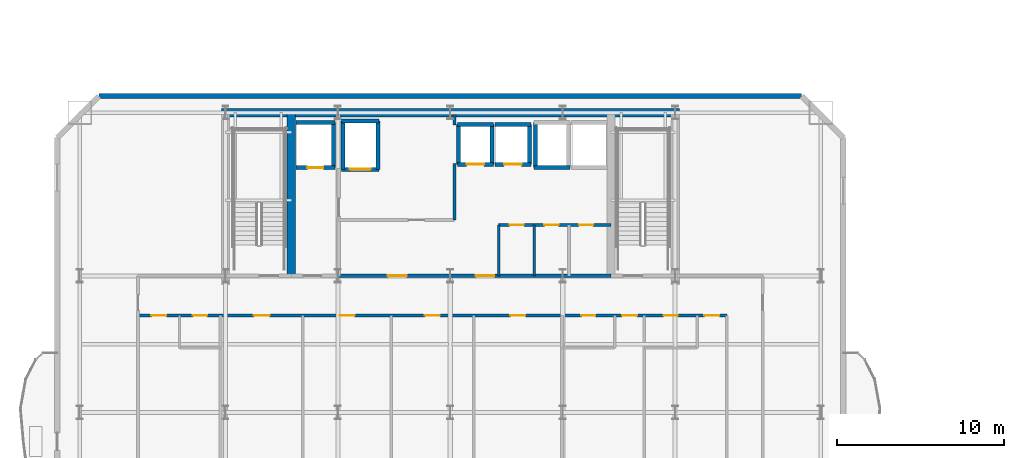
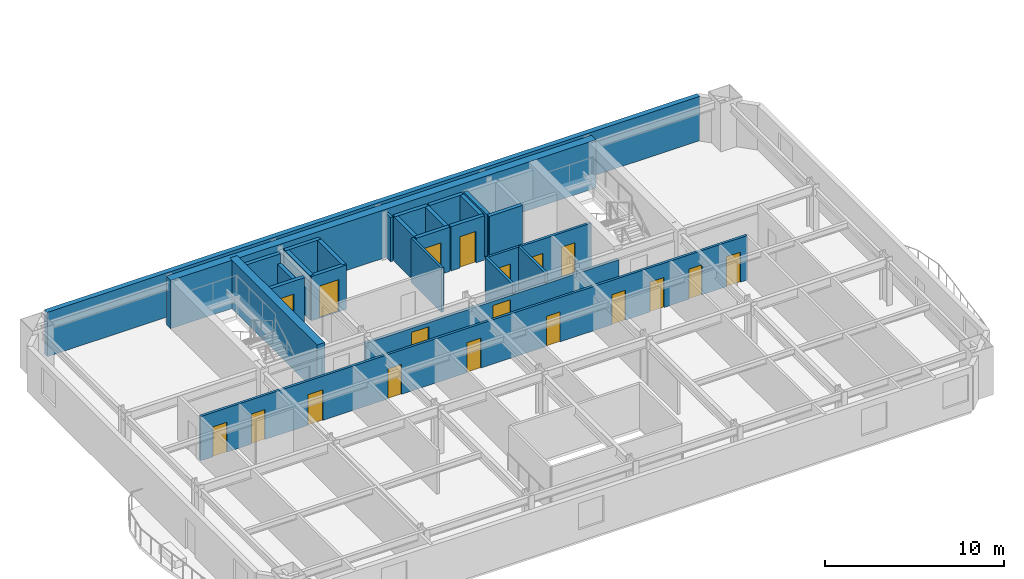
# One storey, part 6 of 14: 26 walls, 19 doors, 19 openings.
"""IFC4 building model written with IfcOpenShell, lengths in metres."""

import ifcopenshell
import ifcopenshell.guid

model = None  # the IFC model being written
_history = None  # IfcOwnerHistory: only IFC2X3 demands one
_inside = {}  # id of a spatial element -> (the spatial element, [elements in it])
_under = {}  # id of a project, library or spatial element -> (it, [spatial elements below it])
_declared = {}  # id of a project -> (the project, [libraries it declares])
_typed = {}  # id of a type object -> (the type object, [elements of that type])
_made_of = {}  # id of a material, layer set ... -> (it, [elements and type objects made of it])


def new_model(schema):
    """Start an empty IFC model of exactly this schema.

    Asked for "IFC4X3", IfcOpenShell would pick the latest addendum, in which some entities
    have other attributes; the version numbers below select the first issue.
    IFC2X3 requires an IfcOwnerHistory on every rooted entity: one is made here for all.
    """
    global model, _history
    if schema == "IFC4X3":
        model = ifcopenshell.file(schema_version=(4, 3, 0, 0))
    else:
        model = ifcopenshell.file(schema=schema)
    _inside.clear()
    _under.clear()
    _declared.clear()
    _typed.clear()
    _made_of.clear()
    _history = None
    if model.schema == "IFC2X3":
        org = make("IfcOrganization", Name="unknown")
        user = make(
            "IfcPersonAndOrganization",
            ThePerson=make("IfcPerson", FamilyName="unknown"),
            TheOrganization=org,
        )
        app = make(
            "IfcApplication",
            ApplicationDeveloper=org,
            Version="unknown",
            ApplicationFullName="unknown",
            ApplicationIdentifier="unknown",
        )
        _history = make(
            "IfcOwnerHistory",
            OwningUser=user,
            OwningApplication=app,
            ChangeAction="ADDED",
            CreationDate=0,
        )
    return model


def make(cls, **values):
    """One entity of the class cls with the attributes given. An attribute that is None is left unset."""
    return model.create_entity(
        cls, **{name: value for name, value in values.items() if value is not None}
    )


def rooted(cls, **values):
    """An entity with a GlobalId (a new one), such as an element, a storey or a relation."""
    return make(cls, GlobalId=ifcopenshell.guid.new(), OwnerHistory=_history, **values)


def si_unit(unit_type, name, prefix=None):
    """IfcSIUnit, for example si_unit("LENGTHUNIT", "METRE", prefix="MILLI")."""
    return make("IfcSIUnit", UnitType=unit_type, Prefix=prefix, Name=name)


def assignment(units):
    """IfcUnitAssignment: the units of a project."""
    return None if units is None else make("IfcUnitAssignment", Units=units)


def point(xyz):
    """IfcCartesianPoint."""
    return None if xyz is None else make("IfcCartesianPoint", Coordinates=xyz)


def direction(xyz):
    """IfcDirection."""
    return None if xyz is None else make("IfcDirection", DirectionRatios=xyz)


def frame(location, z_axis=None, x_axis=None):
    """IfcAxis2Placement3D, a coordinate frame: its origin and axes. An axis left out is left unset."""
    return make(
        "IfcAxis2Placement3D",
        Location=point(location),
        Axis=direction(z_axis),
        RefDirection=direction(x_axis),
    )


def frame_2d(location, x_axis=None):
    """IfcAxis2Placement2D, a coordinate frame in the plane: its origin and x axis."""
    return make(
        "IfcAxis2Placement2D", Location=point(location), RefDirection=direction(x_axis)
    )


def origin():
    """The frame at (0, 0, 0) with its axes left unset."""
    return frame((0.0, 0.0, 0.0))


def place(relative_to, where):
    """IfcLocalPlacement: puts the frame where relative to a parent placement (None: the world)."""
    return make(
        "IfcLocalPlacement", PlacementRelTo=relative_to, RelativePlacement=where
    )


def context(
    kind, dimensions, precision=None, world=None, true_north=None, identifier=None
):
    """IfcGeometricRepresentationContext, for example the 3D "Model" context."""
    return make(
        "IfcGeometricRepresentationContext",
        ContextIdentifier=identifier,
        ContextType=kind,
        CoordinateSpaceDimension=dimensions,
        Precision=precision,
        WorldCoordinateSystem=world,
        TrueNorth=true_north,
    )


def subcontext(parent, identifier, kind, view, scale=None):
    """IfcGeometricRepresentationSubContext, for example "Body" below "Model"."""
    return make(
        "IfcGeometricRepresentationSubContext",
        ContextIdentifier=identifier,
        ContextType=kind,
        ParentContext=parent,
        TargetScale=scale,
        TargetView=view,
    )


def project(units=None, contexts=None):
    """IfcProject with its units and contexts."""
    return rooted(
        "IfcProject",
        Name="project",
        RepresentationContexts=contexts,
        UnitsInContext=assignment(units),
    )


def spatial(cls, under=None, at=None, **own):
    """A site, building, storey or space (cls), placed at a placement, below another one or the project."""
    s = rooted(cls, ObjectPlacement=at, **own)
    if under is not None:
        _under.setdefault(under.id(), (under, []))[1].append(s)
    return s


def profile(cls, at=None, kind="AREA", **sizes):
    """A parametric profile (cls). Its sizes go by their IFC names, for example OverallWidth=200.0."""
    return make(cls, ProfileType=kind, Position=at, **sizes)


def rectangle(**sizes):
    """IfcRectangleProfileDef."""
    return profile("IfcRectangleProfileDef", **sizes)


def extrude(swept, where, along, depth):
    """IfcExtrudedAreaSolid: the profile swept, set in the frame where, extruded along a direction by depth."""
    return make(
        "IfcExtrudedAreaSolid",
        SweptArea=swept,
        Position=where,
        ExtrudedDirection=direction(along),
        Depth=depth,
    )


def shape(context_of_items, identifier, shape_type, items):
    """IfcShapeRepresentation: the items that make up one representation, for example the "Body"."""
    return make(
        "IfcShapeRepresentation",
        ContextOfItems=context_of_items,
        RepresentationIdentifier=identifier,
        RepresentationType=shape_type,
        Items=items,
    )


def material(Name=None, Category=None):
    """IfcMaterial."""
    return make("IfcMaterial", Name=Name, Category=Category)


def layer(
    of_material, thickness, ventilated=None, Name=None, Category=None, Priority=None
):
    """IfcMaterialLayer: one layer of a wall or slab, of a material (None: an air gap)."""
    return make(
        "IfcMaterialLayer",
        Material=of_material,
        LayerThickness=thickness,
        IsVentilated=ventilated,
        Name=Name,
        Category=Category,
        Priority=Priority,
    )


def layer_set(layers, Name=None):
    """IfcMaterialLayerSet."""
    return make("IfcMaterialLayerSet", MaterialLayers=layers, LayerSetName=Name)


def made_of(thing, what):
    """Note that an element or type object is made of a material, layer set ...; save() writes the relation."""
    if what is not None:
        _made_of.setdefault(what.id(), (what, []))[1].append(thing)
    return thing


def type_object(cls, material=None, **own):
    """A type object (cls), such as IfcWallType, which elements share."""
    return made_of(rooted(cls, **own), material)


def element(
    cls,
    number,
    at=None,
    inside=None,
    cuts=None,
    type_object=None,
    material=None,
    context=None,
    identifier="Body",
    shape_type=None,
    held_by="IfcProductDefinitionShape",
    body=None,
    shapes=None,
    **own,
):
    """One element of the class cls, such as IfcWall. Its Tag is "e" and its number.

    at: its placement. inside: the storey or other place that contains it. cuts: it is an
    opening in that element (IfcRelVoidsElement). A single representation is given by context,
    identifier, shape_type and body (its items); several are given by shapes. held_by: the class
    of the entity that holds the representations. save() writes the other relations.
    """
    e = rooted(cls, Tag="e%d" % number, ObjectPlacement=at, **own)
    if body is not None:
        shapes = [shape(context, identifier, shape_type, body)]
    if shapes is not None:
        e.Representation = make(held_by, Representations=shapes)
    if inside is not None:
        _inside.setdefault(inside.id(), (inside, []))[1].append(e)
    if cuts is not None:
        rooted(
            "IfcRelVoidsElement", RelatingBuildingElement=cuts, RelatedOpeningElement=e
        )
    if type_object is not None:
        _typed.setdefault(type_object.id(), (type_object, []))[1].append(e)
    return made_of(e, material)


def fill(opening, filler):
    """IfcRelFillsElement: the door or window that sits in an opening."""
    return rooted(
        "IfcRelFillsElement",
        RelatingOpeningElement=opening,
        RelatedBuildingElement=filler,
    )


def aggregate(whole, parts):
    """IfcRelAggregates: a whole, such as a stair, and the parts it consists of."""
    return rooted("IfcRelAggregates", RelatingObject=whole, RelatedObjects=parts)


def save(model, path):
    """Write the relations noted so far, then the file.

    IfcRelAggregates (storeys below a building ...), IfcRelContainedInSpatialStructure (elements
    in a storey), IfcRelDefinesByType, IfcRelAssociatesMaterial and IfcRelDeclares: one each for
    every whole, place, type object, material and project.
    """
    for whole, parts in _under.values():
        aggregate(whole, parts)
    for where, things in _inside.values():
        rooted(
            "IfcRelContainedInSpatialStructure",
            RelatedElements=things,
            RelatingStructure=where,
        )
    for kind, things in _typed.values():
        rooted("IfcRelDefinesByType", RelatedObjects=things, RelatingType=kind)
    for what, things in _made_of.values():
        rooted("IfcRelAssociatesMaterial", RelatedObjects=things, RelatingMaterial=what)
    for by, libraries in _declared.values():
        rooted("IfcRelDeclares", RelatingContext=by, RelatedDefinitions=libraries)
    model.write(path)


model = new_model("IFC4")

# Units and contexts
model_context = context("Model", 3, precision=1e-05, world=origin(), true_north=direction((0.0, 1.0)))
body_context = subcontext(model_context, "Body", "Model", "MODEL_VIEW")
ifc_project = project(units=[si_unit("LENGTHUNIT", "METRE"), si_unit("AREAUNIT", "SQUARE_METRE"), si_unit("VOLUMEUNIT", "CUBIC_METRE"), si_unit("PLANEANGLEUNIT", "RADIAN"), si_unit("MASSUNIT", "GRAM", prefix="KILO")], contexts=[model_context])

# Site, building, storey
site_placement = place(None, origin())
site = spatial("IfcSite", under=ifc_project, at=site_placement, CompositionType="ELEMENT")
building_placement = place(site_placement, origin())
building = spatial("IfcBuilding", under=site, at=building_placement, Name="Haevon Station Towers", CompositionType="ELEMENT")
storey_placement = place(building_placement, frame((0.0, 0.0, 106.5)))
storey = spatial("IfcBuildingStorey", under=building, at=storey_placement, Name="L28", CompositionType="ELEMENT", Elevation=106.5)

# Wall, openings, doors
ifc_material_1 = material(Name="Gypsum board on steel stud", Category="steel")
ifc_layer_1 = layer(ifc_material_1, 0.199951171875)
ifc_layer_set_1 = layer_set([ifc_layer_1], Name="Gypsum board on steel stud")
wall_type_1 = type_object("IfcWallType", Name="WL-COR200", PredefinedType="PARTITIONING", material=ifc_layer_set_1)
wall_1_placement = place(storey_placement, frame((30.800048828125, 38.199951171875, 0.0), z_axis=(0.0, 0.0, 1.0), x_axis=(1.0, 0.0, 0.0)))
wall_1 = element("IfcWall", 1, at=wall_1_placement, inside=storey, type_object=wall_type_1, Name="WL-T1CLB-L28", PredefinedType="PARTITIONING", context=body_context, shape_type="SweptSolid", body=[
    extrude(rectangle(XDim=16.349853515625, YDim=0.199951171875, at=frame_2d((8.1748046875, 0.0))), origin(), (0.0, 0.0, 1.0), 2.3798828125),
])
opening_1_placement = place(wall_1_placement, frame((2.949951171875, 0.0, 0.0)))
opening_1 = element("IfcOpeningElement", 2, at=opening_1_placement, cuts=wall_1, Name="Opening DR-T1CLB-L28-1", PredefinedType="OPENING", context=body_context, shape_type="SweptSolid", body=[
    extrude(rectangle(XDim=1.1201171875, YDim=2.10009765625, at=frame_2d((0.56005859375, 1.050048828125))), frame((0.0, 0.10986328125, 0.0), z_axis=(0.0, -1.0, 0.0), x_axis=(1.0, 0.0, 0.0)), (0.0, 0.0, 1.0), 0.219970703125),
])
opening_2_placement = place(wall_1_placement, frame((8.22998046875, 0.0, 0.0)))
opening_2 = element("IfcOpeningElement", 3, at=opening_2_placement, cuts=wall_1, Name="Opening DR-T1CLB-L28-2", PredefinedType="OPENING", context=body_context, shape_type="SweptSolid", body=[
    extrude(rectangle(XDim=1.1201171875, YDim=2.10009765625, at=frame_2d((0.56005859375, 1.050048828125))), frame((0.0, 0.10986328125, 0.0), z_axis=(0.0, -1.0, 0.0), x_axis=(1.0, 0.0, 0.0)), (0.0, 0.0, 1.0), 0.219970703125),
])
ifc_material_2 = material(Name="Engineered oak timber", Category="wood")
door_type_1 = type_object("IfcDoorType", Name="DR-ST-1120", OperationType="NOTDEFINED", PredefinedType="DOOR", material=ifc_material_2)
door_1_placement = place(opening_1_placement, origin())
door_1 = element("IfcDoor", 4, at=door_1_placement, inside=storey, type_object=door_type_1, Name="L28 Tower 1 Core Lift Lobby Door 1", OperationType="SINGLE_SWING_LEFT", OverallHeight=2.10009765625, OverallWidth=1.1201171875, PredefinedType="DOOR", context=body_context, shape_type="SweptSolid", body=[
    extrude(rectangle(XDim=1.1201171875, YDim=2.10009765625, at=frame_2d((0.56005859375, 1.050048828125))), frame((0.0, 0.02490234375, 0.0), z_axis=(0.0, -1.0, 0.0), x_axis=(1.0, 0.0, 0.0)), (0.0, 0.0, 1.0), 0.050048828125),
])
fill(opening_1, door_1)
door_2_placement = place(opening_2_placement, origin())
door_2 = element("IfcDoor", 5, at=door_2_placement, inside=storey, type_object=door_type_1, Name="L28 Tower 1 Core Lift Lobby Door 2", OperationType="SINGLE_SWING_RIGHT", OverallHeight=2.10009765625, OverallWidth=1.1201171875, PredefinedType="DOOR", context=body_context, shape_type="SweptSolid", body=[
    extrude(rectangle(XDim=1.1201171875, YDim=2.10009765625, at=frame_2d((0.56005859375, 1.050048828125))), frame((0.0, 0.02490234375, 0.0), z_axis=(0.0, -1.0, 0.0), x_axis=(1.0, 0.0, 0.0)), (0.0, 0.0, 1.0), 0.050048828125),
])
fill(opening_2, door_2)

# Walls
ifc_material_3 = material(Name="Concrete C60/75", Category="concrete")
ifc_layer_2 = layer(ifc_material_3, 0.5)
ifc_layer_set_2 = layer_set([ifc_layer_2], Name="Concrete C60/75")
wall_type_2 = type_object("IfcWallType", Name="WL-CR500", PredefinedType="SHEAR", material=ifc_layer_set_2)
wall_2_placement = place(storey_placement, frame((23.75, 48.0, 0.0), z_axis=(0.0, 0.0, 1.0), x_axis=(1.0, 0.0, 0.0)))
element("IfcWall", 6, at=wall_2_placement, inside=storey, type_object=wall_type_2, Name="WL-T1CR-L28-N", PredefinedType="SHEAR", context=body_context, shape_type="SweptSolid", body=[
    extrude(rectangle(XDim=27.5, YDim=0.5, at=frame_2d((13.75, 0.0))), origin(), (0.0, 0.0, 1.0), 3.300048828125),
])
wall_3_placement = place(storey_placement, frame((27.949951171875, 38.199951171875, 0.0), z_axis=(0.0, 0.0, 1.0), x_axis=(0.0, 1.0, 0.0)))
element("IfcWall", 7, at=wall_3_placement, inside=storey, type_object=wall_type_2, Name="WL-T1CR-L28-M1", PredefinedType="SHEAR", context=body_context, shape_type="SweptSolid", body=[
    extrude(rectangle(XDim=9.800048828125, YDim=0.5, at=frame_2d((4.89990234375, 0.0))), origin(), (0.0, 0.0, 1.0), 3.300048828125),
])
ifc_material_4 = material(Name="Precast concrete C45/55", Category="concrete")
ifc_layer_3 = layer(ifc_material_4, 0.320068359375)
ifc_layer_set_3 = layer_set([ifc_layer_3], Name="Precast concrete C45/55")
wall_type_3 = type_object("IfcWallType", Name="WL-EXT-PIER320", PredefinedType="SOLIDWALL", material=ifc_layer_set_3)
wall_4_placement = place(storey_placement, frame((16.39990234375, 49.0, 0.0), z_axis=(0.0, 0.0, 1.0), x_axis=(1.0, 0.0, 0.0)))
element("IfcWall", 8, at=wall_4_placement, inside=storey, type_object=wall_type_3, Name="WL-T1-L28-N", PredefinedType="SOLIDWALL", context=body_context, shape_type="SweptSolid", body=[
    extrude(rectangle(XDim=42.2001953125, YDim=0.320068359375, at=frame_2d((21.10009765625, 0.0))), origin(), (0.0, 0.0, 1.0), 3.030029296875),
])
ifc_layer_4 = layer(ifc_material_1, 0.159912109375)
ifc_layer_set_4 = layer_set([ifc_layer_4], Name="Gypsum board on steel stud")
wall_type_4 = type_object("IfcWallType", Name="WL-PRT160", PredefinedType="PARTITIONING", material=ifc_layer_set_4)
wall_5_placement = place(storey_placement, frame((37.75, 41.550048828125, 0.0), z_axis=(0.0, 0.0, 1.0), x_axis=(0.0, 1.0, 0.0)))
element("IfcWall", 9, at=wall_5_placement, inside=storey, type_object=wall_type_4, Name="WL-T1CW-L28-02", PredefinedType="PARTITIONING", context=body_context, shape_type="SweptSolid", body=[
    extrude(rectangle(XDim=3.39990234375, YDim=0.159912109375, at=frame_2d((1.699951171875, 0.0))), origin(), (0.0, 0.0, 1.0), 3.030029296875),
])
wall_6_placement = place(storey_placement, frame((37.75, 47.25, 0.0), z_axis=(0.0, 0.0, 1.0), x_axis=(0.0, 1.0, 0.0)))
element("IfcWall", 10, at=wall_6_placement, inside=storey, type_object=wall_type_4, Name="WL-T1CW-L28-03", PredefinedType="PARTITIONING", context=body_context, shape_type="SweptSolid", body=[
    extrude(rectangle(XDim=0.64990234375, YDim=0.159912109375, at=frame_2d((0.324951171875, 0.0))), origin(), (0.0, 0.0, 1.0), 3.030029296875),
])
for number, where, z_axis, x_axis, name in (
    (11, (40.39990234375, 38.199951171875, 0.0), (0.0, 0.0, 1.0), (0.0, 1.0, 0.0), "WL-T1CW-L28-04"),
    (12, (42.530029296875, 38.199951171875, 0.0), (0.0, 0.0, 1.0), (0.0, 1.0, 0.0), "WL-T1CW-L28-05"),
):
    element("IfcWall", number, at=place(storey_placement, frame(where, z_axis=z_axis, x_axis=x_axis)), inside=storey, type_object=wall_type_4, Name=name, PredefinedType="PARTITIONING", context=body_context, shape_type="SweptSolid", body=[
        extrude(rectangle(XDim=3.050048828125, YDim=0.159912109375, at=frame_2d((1.52490234375, 0.0))), origin(), (0.0, 0.0, 1.0), 3.030029296875),
    ])

# Wall, openings, doors
wall_7_placement = place(storey_placement, frame((40.39990234375, 41.25, 0.0), z_axis=(0.0, 0.0, 1.0), x_axis=(1.0, 0.0, 0.0)))
wall_7 = element("IfcWall", 13, at=wall_7_placement, inside=storey, type_object=wall_type_4, Name="WL-T1CW-L28-07", PredefinedType="PARTITIONING", context=body_context, shape_type="SweptSolid", body=[
    extrude(rectangle(XDim=6.75, YDim=0.159912109375, at=frame_2d((3.375, 0.0))), origin(), (0.0, 0.0, 1.0), 3.030029296875),
])
opening_3_placement = place(wall_7_placement, frame((0.659912109375, 0.0, 0.0)))
opening_3 = element("IfcOpeningElement", 14, at=opening_3_placement, cuts=wall_7, Name="Opening DR-WL-T1CW-L28-07-1", PredefinedType="OPENING", context=body_context, shape_type="SweptSolid", body=[
    extrude(rectangle(XDim=0.85009765625, YDim=2.050048828125, at=frame_2d((0.425048828125, 1.02490234375))), frame((0.0, 0.08984375, 0.0), z_axis=(0.0, -1.0, 0.0), x_axis=(1.0, 0.0, 0.0)), (0.0, 0.0, 1.0), 0.179931640625),
])
opening_4_placement = place(wall_7_placement, frame((2.7548828125, 0.0, 0.0)))
opening_4 = element("IfcOpeningElement", 15, at=opening_4_placement, cuts=wall_7, Name="Opening DR-WL-T1CW-L28-07-2", PredefinedType="OPENING", context=body_context, shape_type="SweptSolid", body=[
    extrude(rectangle(XDim=0.85009765625, YDim=2.050048828125, at=frame_2d((0.425048828125, 1.02490234375))), frame((0.0, 0.08984375, 0.0), z_axis=(0.0, -1.0, 0.0), x_axis=(1.0, 0.0, 0.0)), (0.0, 0.0, 1.0), 0.179931640625),
])
opening_5_placement = place(wall_7_placement, frame((4.830078125, 0.0, 0.0)))
opening_5 = element("IfcOpeningElement", 16, at=opening_5_placement, cuts=wall_7, Name="Opening DR-WL-T1CW-L28-07-3", PredefinedType="OPENING", context=body_context, shape_type="SweptSolid", body=[
    extrude(rectangle(XDim=0.85009765625, YDim=2.050048828125, at=frame_2d((0.425048828125, 1.02490234375))), frame((0.0, 0.08984375, 0.0), z_axis=(0.0, -1.0, 0.0), x_axis=(1.0, 0.0, 0.0)), (0.0, 0.0, 1.0), 0.179931640625),
])
door_type_2 = type_object("IfcDoorType", Name="DR-FD30-850", OperationType="NOTDEFINED", PredefinedType="DOOR", material=ifc_material_2)
door_3_placement = place(opening_3_placement, origin())
door_3 = element("IfcDoor", 17, at=door_3_placement, inside=storey, type_object=door_type_2, Name="L28 Tower 1 Core Room Door 7-1", OperationType="SINGLE_SWING_RIGHT", OverallHeight=2.050048828125, OverallWidth=0.85009765625, PredefinedType="DOOR", context=body_context, shape_type="SweptSolid", body=[
    extrude(rectangle(XDim=0.85009765625, YDim=2.050048828125, at=frame_2d((0.425048828125, 1.02490234375))), frame((0.0, 0.02490234375, 0.0), z_axis=(0.0, -1.0, 0.0), x_axis=(1.0, 0.0, 0.0)), (0.0, 0.0, 1.0), 0.050048828125),
])
fill(opening_3, door_3)
door_4_placement = place(opening_4_placement, origin())
door_4 = element("IfcDoor", 18, at=door_4_placement, inside=storey, type_object=door_type_2, Name="L28 Tower 1 Core Room Door 7-2", OperationType="SINGLE_SWING_LEFT", OverallHeight=2.050048828125, OverallWidth=0.85009765625, PredefinedType="DOOR", context=body_context, shape_type="SweptSolid", body=[
    extrude(rectangle(XDim=0.85009765625, YDim=2.050048828125, at=frame_2d((0.425048828125, 1.02490234375))), frame((0.0, 0.02490234375, 0.0), z_axis=(0.0, -1.0, 0.0), x_axis=(1.0, 0.0, 0.0)), (0.0, 0.0, 1.0), 0.050048828125),
])
fill(opening_4, door_4)
door_5_placement = place(opening_5_placement, origin())
door_5 = element("IfcDoor", 19, at=door_5_placement, inside=storey, type_object=door_type_2, Name="L28 Tower 1 Core Room Door 7-3", OperationType="SINGLE_SWING_RIGHT", OverallHeight=2.050048828125, OverallWidth=0.85009765625, PredefinedType="DOOR", context=body_context, shape_type="SweptSolid", body=[
    extrude(rectangle(XDim=0.85009765625, YDim=2.050048828125, at=frame_2d((0.425048828125, 1.02490234375))), frame((0.0, 0.02490234375, 0.0), z_axis=(0.0, -1.0, 0.0), x_axis=(1.0, 0.0, 0.0)), (0.0, 0.0, 1.0), 0.050048828125),
])
fill(opening_5, door_5)

wall_8_placement = place(storey_placement, frame((18.75, 35.820068359375, 0.0), z_axis=(0.0, 0.0, 1.0), x_axis=(1.0, 0.0, 0.0)))
wall_8 = element("IfcWall", 20, at=wall_8_placement, inside=storey, type_object=wall_type_4, Name="WL-T1PT-L28-25", PredefinedType="PARTITIONING", context=body_context, shape_type="SweptSolid", body=[
    extrude(rectangle(XDim=35.35009765625, YDim=0.159912109375, at=frame_2d((17.675048828125, 0.0))), origin(), (0.0, 0.0, 1.0), 3.030029296875),
])
opening_6_placement = place(wall_8_placement, frame((3.299072265625, 0.0, 0.0)))
opening_6 = element("IfcOpeningElement", 21, at=opening_6_placement, cuts=wall_8, Name="Opening DR-WL-T1PT-L28-25-01", PredefinedType="OPENING", context=body_context, shape_type="SweptSolid", body=[
    extrude(rectangle(XDim=0.85009765625, YDim=2.050048828125, at=frame_2d((0.425048828125, 1.02490234375))), frame((0.0, 0.08984375, 0.0), z_axis=(0.0, -1.0, 0.0), x_axis=(1.0, 0.0, 0.0)), (0.0, 0.0, 1.0), 0.179931640625),
])
opening_7_placement = place(wall_8_placement, frame((0.799072265625, 0.0, 0.0)))
opening_7 = element("IfcOpeningElement", 22, at=opening_7_placement, cuts=wall_8, Name="Opening DR-WL-T1PT-L28-25-02", PredefinedType="OPENING", context=body_context, shape_type="SweptSolid", body=[
    extrude(rectangle(XDim=0.89990234375, YDim=2.050048828125, at=frame_2d((0.449951171875, 1.02490234375))), frame((0.0, 0.08984375, 0.0), z_axis=(0.0, -1.0, 0.0), x_axis=(1.0, 0.0, 0.0)), (0.0, 0.0, 1.0), 0.179931640625),
])
opening_8_placement = place(wall_8_placement, frame((6.948974609375, 0.0, 0.0)))
opening_8 = element("IfcOpeningElement", 23, at=opening_8_placement, cuts=wall_8, Name="Opening DR-WL-T1PT-L28-25-03", PredefinedType="OPENING", context=body_context, shape_type="SweptSolid", body=[
    extrude(rectangle(XDim=0.949951171875, YDim=2.10009765625, at=frame_2d((0.47509765625, 1.050048828125))), frame((0.0, 0.08984375, 0.0), z_axis=(0.0, -1.0, 0.0), x_axis=(1.0, 0.0, 0.0)), (0.0, 0.0, 1.0), 0.179931640625),
])
opening_9_placement = place(wall_8_placement, frame((12.09912109375, 0.0, 0.0)))
opening_9 = element("IfcOpeningElement", 24, at=opening_9_placement, cuts=wall_8, Name="Opening DR-WL-T1PT-L28-25-04", PredefinedType="OPENING", context=body_context, shape_type="SweptSolid", body=[
    extrude(rectangle(XDim=0.89990234375, YDim=2.050048828125, at=frame_2d((0.449951171875, 1.02490234375))), frame((0.0, 0.08984375, 0.0), z_axis=(0.0, -1.0, 0.0), x_axis=(1.0, 0.0, 0.0)), (0.0, 0.0, 1.0), 0.179931640625),
])
opening_10_placement = place(wall_8_placement, frame((17.22509765625, 0.0, 0.0)))
opening_10 = element("IfcOpeningElement", 25, at=opening_10_placement, cuts=wall_8, Name="Opening DR-WL-T1PT-L28-25-05", PredefinedType="OPENING", context=body_context, shape_type="SweptSolid", body=[
    extrude(rectangle(XDim=0.89990234375, YDim=2.050048828125, at=frame_2d((0.449951171875, 1.02490234375))), frame((0.0, 0.08984375, 0.0), z_axis=(0.0, -1.0, 0.0), x_axis=(1.0, 0.0, 0.0)), (0.0, 0.0, 1.0), 0.179931640625),
])
opening_11_placement = place(wall_8_placement, frame((22.35107421875, 0.0, 0.0)))
opening_11 = element("IfcOpeningElement", 26, at=opening_11_placement, cuts=wall_8, Name="Opening DR-WL-T1PT-L28-25-06", PredefinedType="OPENING", context=body_context, shape_type="SweptSolid", body=[
    extrude(rectangle(XDim=0.89990234375, YDim=2.050048828125, at=frame_2d((0.449951171875, 1.02490234375))), frame((0.0, 0.08984375, 0.0), z_axis=(0.0, -1.0, 0.0), x_axis=(1.0, 0.0, 0.0)), (0.0, 0.0, 1.0), 0.179931640625),
])
opening_12_placement = place(wall_8_placement, frame((26.612060546875, 0.0, 0.0)))
opening_12 = element("IfcOpeningElement", 27, at=opening_12_placement, cuts=wall_8, Name="Opening DR-WL-T1PT-L28-25-07", PredefinedType="OPENING", context=body_context, shape_type="SweptSolid", body=[
    extrude(rectangle(XDim=0.85009765625, YDim=2.050048828125, at=frame_2d((0.425048828125, 1.02490234375))), frame((0.0, 0.08984375, 0.0), z_axis=(0.0, -1.0, 0.0), x_axis=(1.0, 0.0, 0.0)), (0.0, 0.0, 1.0), 0.179931640625),
])
opening_13_placement = place(wall_8_placement, frame((29.06103515625, 0.0, 0.0)))
opening_13 = element("IfcOpeningElement", 28, at=opening_13_placement, cuts=wall_8, Name="Opening DR-WL-T1PT-L28-25-08", PredefinedType="OPENING", context=body_context, shape_type="SweptSolid", body=[
    extrude(rectangle(XDim=0.89990234375, YDim=2.050048828125, at=frame_2d((0.449951171875, 1.02490234375))), frame((0.0, 0.08984375, 0.0), z_axis=(0.0, -1.0, 0.0), x_axis=(1.0, 0.0, 0.0)), (0.0, 0.0, 1.0), 0.179931640625),
])
opening_14_placement = place(wall_8_placement, frame((31.56103515625, 0.0, 0.0)))
opening_14 = element("IfcOpeningElement", 29, at=opening_14_placement, cuts=wall_8, Name="Opening DR-WL-T1PT-L28-25-09", PredefinedType="OPENING", context=body_context, shape_type="SweptSolid", body=[
    extrude(rectangle(XDim=0.85009765625, YDim=2.050048828125, at=frame_2d((0.425048828125, 1.02490234375))), frame((0.0, 0.08984375, 0.0), z_axis=(0.0, -1.0, 0.0), x_axis=(1.0, 0.0, 0.0)), (0.0, 0.0, 1.0), 0.179931640625),
])
opening_15_placement = place(wall_8_placement, frame((34.010009765625, 0.0, 0.0)))
opening_15 = element("IfcOpeningElement", 30, at=opening_15_placement, cuts=wall_8, Name="Opening DR-WL-T1PT-L28-25-10", PredefinedType="OPENING", context=body_context, shape_type="SweptSolid", body=[
    extrude(rectangle(XDim=0.89990234375, YDim=2.050048828125, at=frame_2d((0.449951171875, 1.02490234375))), frame((0.0, 0.08984375, 0.0), z_axis=(0.0, -1.0, 0.0), x_axis=(1.0, 0.0, 0.0)), (0.0, 0.0, 1.0), 0.179931640625),
])
door_6_placement = place(opening_6_placement, origin())
door_6 = element("IfcDoor", 31, at=door_6_placement, inside=storey, type_object=door_type_2, Name="L28 Tower 1 Room Door 25-1", OperationType="SINGLE_SWING_LEFT", OverallHeight=2.050048828125, OverallWidth=0.85009765625, PredefinedType="DOOR", context=body_context, shape_type="SweptSolid", body=[
    extrude(rectangle(XDim=0.85009765625, YDim=2.050048828125, at=frame_2d((0.425048828125, 1.02490234375))), frame((0.0, 0.02490234375, 0.0), z_axis=(0.0, -1.0, 0.0), x_axis=(1.0, 0.0, 0.0)), (0.0, 0.0, 1.0), 0.050048828125),
])
fill(opening_6, door_6)
door_7_placement = place(opening_12_placement, origin())
door_7 = element("IfcDoor", 32, at=door_7_placement, inside=storey, type_object=door_type_2, Name="L28 Tower 1 Room Door 25-7", OperationType="SINGLE_SWING_LEFT", OverallHeight=2.050048828125, OverallWidth=0.85009765625, PredefinedType="DOOR", context=body_context, shape_type="SweptSolid", body=[
    extrude(rectangle(XDim=0.85009765625, YDim=2.050048828125, at=frame_2d((0.425048828125, 1.02490234375))), frame((0.0, 0.02490234375, 0.0), z_axis=(0.0, -1.0, 0.0), x_axis=(1.0, 0.0, 0.0)), (0.0, 0.0, 1.0), 0.050048828125),
])
fill(opening_12, door_7)
door_8_placement = place(opening_14_placement, origin())
door_8 = element("IfcDoor", 33, at=door_8_placement, inside=storey, type_object=door_type_2, Name="L28 Tower 1 Room Door 25-9", OperationType="SINGLE_SWING_LEFT", OverallHeight=2.050048828125, OverallWidth=0.85009765625, PredefinedType="DOOR", context=body_context, shape_type="SweptSolid", body=[
    extrude(rectangle(XDim=0.85009765625, YDim=2.050048828125, at=frame_2d((0.425048828125, 1.02490234375))), frame((0.0, 0.02490234375, 0.0), z_axis=(0.0, -1.0, 0.0), x_axis=(1.0, 0.0, 0.0)), (0.0, 0.0, 1.0), 0.050048828125),
])
fill(opening_14, door_8)
door_type_3 = type_object("IfcDoorType", Name="DR-FD30-950", OperationType="NOTDEFINED", PredefinedType="DOOR", material=ifc_material_2)
door_9_placement = place(opening_8_placement, origin())
door_9 = element("IfcDoor", 34, at=door_9_placement, inside=storey, type_object=door_type_3, Name="L28 Tower 1 Room Door 25-3", OperationType="SINGLE_SWING_LEFT", OverallHeight=2.10009765625, OverallWidth=0.949951171875, PredefinedType="DOOR", context=body_context, shape_type="SweptSolid", body=[
    extrude(rectangle(XDim=0.949951171875, YDim=2.10009765625, at=frame_2d((0.47509765625, 1.050048828125))), frame((0.0, 0.02490234375, 0.0), z_axis=(0.0, -1.0, 0.0), x_axis=(1.0, 0.0, 0.0)), (0.0, 0.0, 1.0), 0.050048828125),
])
fill(opening_8, door_9)
door_type_4 = type_object("IfcDoorType", Name="DR-INT-900", OperationType="NOTDEFINED", PredefinedType="DOOR", material=ifc_material_2)
door_10_placement = place(opening_7_placement, origin())
door_10 = element("IfcDoor", 35, at=door_10_placement, inside=storey, type_object=door_type_4, Name="L28 Tower 1 Room Door 25-2", OperationType="SINGLE_SWING_RIGHT", OverallHeight=2.050048828125, OverallWidth=0.89990234375, PredefinedType="DOOR", context=body_context, shape_type="SweptSolid", body=[
    extrude(rectangle(XDim=0.89990234375, YDim=2.050048828125, at=frame_2d((0.449951171875, 1.02490234375))), frame((0.0, 0.02490234375, 0.0), z_axis=(0.0, -1.0, 0.0), x_axis=(1.0, 0.0, 0.0)), (0.0, 0.0, 1.0), 0.050048828125),
])
fill(opening_7, door_10)
door_11_placement = place(opening_9_placement, origin())
door_11 = element("IfcDoor", 36, at=door_11_placement, inside=storey, type_object=door_type_4, Name="L28 Tower 1 Room Door 25-4", OperationType="SINGLE_SWING_RIGHT", OverallHeight=2.050048828125, OverallWidth=0.89990234375, PredefinedType="DOOR", context=body_context, shape_type="SweptSolid", body=[
    extrude(rectangle(XDim=0.89990234375, YDim=2.050048828125, at=frame_2d((0.449951171875, 1.02490234375))), frame((0.0, 0.02490234375, 0.0), z_axis=(0.0, -1.0, 0.0), x_axis=(1.0, 0.0, 0.0)), (0.0, 0.0, 1.0), 0.050048828125),
])
fill(opening_9, door_11)
door_12_placement = place(opening_10_placement, origin())
door_12 = element("IfcDoor", 37, at=door_12_placement, inside=storey, type_object=door_type_4, Name="L28 Tower 1 Room Door 25-5", OperationType="SINGLE_SWING_LEFT", OverallHeight=2.050048828125, OverallWidth=0.89990234375, PredefinedType="DOOR", context=body_context, shape_type="SweptSolid", body=[
    extrude(rectangle(XDim=0.89990234375, YDim=2.050048828125, at=frame_2d((0.449951171875, 1.02490234375))), frame((0.0, 0.02490234375, 0.0), z_axis=(0.0, -1.0, 0.0), x_axis=(1.0, 0.0, 0.0)), (0.0, 0.0, 1.0), 0.050048828125),
])
fill(opening_10, door_12)
door_13_placement = place(opening_11_placement, origin())
door_13 = element("IfcDoor", 38, at=door_13_placement, inside=storey, type_object=door_type_4, Name="L28 Tower 1 Room Door 25-6", OperationType="SINGLE_SWING_RIGHT", OverallHeight=2.050048828125, OverallWidth=0.89990234375, PredefinedType="DOOR", context=body_context, shape_type="SweptSolid", body=[
    extrude(rectangle(XDim=0.89990234375, YDim=2.050048828125, at=frame_2d((0.449951171875, 1.02490234375))), frame((0.0, 0.02490234375, 0.0), z_axis=(0.0, -1.0, 0.0), x_axis=(1.0, 0.0, 0.0)), (0.0, 0.0, 1.0), 0.050048828125),
])
fill(opening_11, door_13)
door_14_placement = place(opening_13_placement, origin())
door_14 = element("IfcDoor", 39, at=door_14_placement, inside=storey, type_object=door_type_4, Name="L28 Tower 1 Room Door 25-8", OperationType="SINGLE_SWING_RIGHT", OverallHeight=2.050048828125, OverallWidth=0.89990234375, PredefinedType="DOOR", context=body_context, shape_type="SweptSolid", body=[
    extrude(rectangle(XDim=0.89990234375, YDim=2.050048828125, at=frame_2d((0.449951171875, 1.02490234375))), frame((0.0, 0.02490234375, 0.0), z_axis=(0.0, -1.0, 0.0), x_axis=(1.0, 0.0, 0.0)), (0.0, 0.0, 1.0), 0.050048828125),
])
fill(opening_13, door_14)
door_15_placement = place(opening_15_placement, origin())
door_15 = element("IfcDoor", 40, at=door_15_placement, inside=storey, type_object=door_type_4, Name="L28 Tower 1 Room Door 25-10", OperationType="SINGLE_SWING_RIGHT", OverallHeight=2.050048828125, OverallWidth=0.89990234375, PredefinedType="DOOR", context=body_context, shape_type="SweptSolid", body=[
    extrude(rectangle(XDim=0.89990234375, YDim=2.050048828125, at=frame_2d((0.449951171875, 1.02490234375))), frame((0.0, 0.02490234375, 0.0), z_axis=(0.0, -1.0, 0.0), x_axis=(1.0, 0.0, 0.0)), (0.0, 0.0, 1.0), 0.050048828125),
])
fill(opening_15, door_15)

# Wall, opening, door
ifc_material_5 = material(Name="Concrete C40/50", Category="concrete")
ifc_layer_5 = layer(ifc_material_5, 0.239990234375)
ifc_layer_set_5 = layer_set([ifc_layer_5], Name="Concrete C40/50")
wall_type_5 = type_object("IfcWallType", Name="WL-SHF240", PredefinedType="PARTITIONING", material=ifc_layer_set_5)
wall_9_placement = place(storey_placement, frame((28.219970703125, 44.699951171875, 0.0), z_axis=(0.0, 0.0, 1.0), x_axis=(1.0, 0.0, 0.0)))
wall_9 = element("IfcWall", 41, at=wall_9_placement, inside=storey, type_object=wall_type_5, Name="WL-SHF-FL1-L28", PredefinedType="PARTITIONING", context=body_context, shape_type="SweptSolid", body=[
    extrude(rectangle(XDim=2.360107421875, YDim=0.239990234375, at=frame_2d((1.18017578125, 0.0))), origin(), (0.0, 0.0, 1.0), 3.030029296875),
])
opening_16_placement = place(wall_9_placement, frame((0.705078125, 0.0, 0.0)))
opening_16 = element("IfcOpeningElement", 42, at=opening_16_placement, cuts=wall_9, Name="Opening LD-FL1-L28", PredefinedType="OPENING", context=body_context, shape_type="SweptSolid", body=[
    extrude(rectangle(XDim=0.949951171875, YDim=2.14990234375, at=frame_2d((0.47509765625, 1.074951171875))), frame((0.0, 0.1298828125, 0.0), z_axis=(0.0, -1.0, 0.0), x_axis=(1.0, 0.0, 0.0)), (0.0, 0.0, 1.0), 0.260009765625),
])
ifc_material_6 = material(Name="Stainless steel and rated core", Category="steel")
door_type_5 = type_object("IfcDoorType", Name="LD-FL950", OperationType="SLIDING_TO_LEFT", PredefinedType="DOOR", material=ifc_material_6)
door_16_placement = place(opening_16_placement, origin())
door_16 = element("IfcDoor", 43, at=door_16_placement, inside=storey, type_object=door_type_5, Name="L28 Lift FL1 Sliding Landing Door", OperationType="SLIDING_TO_LEFT", OverallHeight=2.14990234375, OverallWidth=0.949951171875, PredefinedType="DOOR", context=body_context, shape_type="SweptSolid", body=[
    extrude(rectangle(XDim=0.949951171875, YDim=2.14990234375, at=frame_2d((0.47509765625, 1.074951171875))), frame((0.0, 0.02490234375, 0.0), z_axis=(0.0, -1.0, 0.0), x_axis=(1.0, 0.0, 0.0)), (0.0, 0.0, 1.0), 0.050048828125),
])
fill(opening_16, door_16)

# Walls
wall_10_placement = place(storey_placement, frame((28.219970703125, 47.39990234375, 0.0), z_axis=(0.0, 0.0, 1.0), x_axis=(1.0, 0.0, 0.0)))
element("IfcWall", 44, at=wall_10_placement, inside=storey, type_object=wall_type_5, Name="WL-SHF-FL1-L28-N", PredefinedType="PARTITIONING", context=body_context, shape_type="SweptSolid", body=[
    extrude(rectangle(XDim=2.360107421875, YDim=0.239990234375, at=frame_2d((1.18017578125, 0.0))), origin(), (0.0, 0.0, 1.0), 3.030029296875),
])
wall_11_placement = place(storey_placement, frame((30.5, 44.699951171875, 0.0), z_axis=(0.0, 0.0, 1.0), x_axis=(0.0, 1.0, 0.0)))
element("IfcWall", 45, at=wall_11_placement, inside=storey, type_object=wall_type_5, Name="WL-SHF-FL1-L28-E", PredefinedType="PARTITIONING", context=body_context, shape_type="SweptSolid", body=[
    extrude(rectangle(XDim=2.699951171875, YDim=0.239990234375, at=frame_2d((1.35009765625, 0.0))), origin(), (0.0, 0.0, 1.0), 2.3798828125),
])

# Wall, opening, door
wall_12_placement = place(storey_placement, frame((30.969970703125, 44.60009765625, 0.0), z_axis=(0.0, 0.0, 1.0), x_axis=(1.0, 0.0, 0.0)))
wall_12 = element("IfcWall", 46, at=wall_12_placement, inside=storey, type_object=wall_type_5, Name="WL-SHF-SL1-L28", PredefinedType="PARTITIONING", context=body_context, shape_type="SweptSolid", body=[
    extrude(rectangle(XDim=2.260009765625, YDim=0.239990234375, at=frame_2d((1.1298828125, 0.0))), origin(), (0.0, 0.0, 1.0), 3.030029296875),
])
opening_17_placement = place(wall_12_placement, frame((0.5048828125, 0.0, 0.0)))
opening_17 = element("IfcOpeningElement", 47, at=opening_17_placement, cuts=wall_12, Name="Opening LD-SL1-L28", PredefinedType="OPENING", context=body_context, shape_type="SweptSolid", body=[
    extrude(rectangle(XDim=1.25, YDim=2.199951171875, at=frame_2d((0.625, 1.10009765625))), frame((0.0, 0.1298828125, 0.0), z_axis=(0.0, -1.0, 0.0), x_axis=(1.0, 0.0, 0.0)), (0.0, 0.0, 1.0), 0.260009765625),
])
door_type_6 = type_object("IfcDoorType", Name="LD-SL1250", OperationType="SLIDING_TO_LEFT", PredefinedType="DOOR", material=ifc_material_6)
door_17_placement = place(opening_17_placement, origin())
door_17 = element("IfcDoor", 48, at=door_17_placement, inside=storey, type_object=door_type_6, Name="L28 Lift SL1 Sliding Landing Door", OperationType="SLIDING_TO_LEFT", OverallHeight=2.199951171875, OverallWidth=1.25, PredefinedType="DOOR", context=body_context, shape_type="SweptSolid", body=[
    extrude(rectangle(XDim=1.25, YDim=2.199951171875, at=frame_2d((0.625, 1.10009765625))), frame((0.0, 0.02490234375, 0.0), z_axis=(0.0, -1.0, 0.0), x_axis=(1.0, 0.0, 0.0)), (0.0, 0.0, 1.0), 0.050048828125),
])
fill(opening_17, door_17)

# Walls
wall_13_placement = place(storey_placement, frame((30.969970703125, 47.5, 0.0), z_axis=(0.0, 0.0, 1.0), x_axis=(1.0, 0.0, 0.0)))
element("IfcWall", 49, at=wall_13_placement, inside=storey, type_object=wall_type_5, Name="WL-SHF-SL1-L28-N", PredefinedType="PARTITIONING", context=body_context, shape_type="SweptSolid", body=[
    extrude(rectangle(XDim=2.260009765625, YDim=0.239990234375, at=frame_2d((1.1298828125, 0.0))), origin(), (0.0, 0.0, 1.0), 3.030029296875),
])
for number, where, z_axis, x_axis, name in (
    (50, (31.050048828125, 44.60009765625, 0.0), (0.0, 0.0, 1.0), (0.0, 1.0, 0.0), "WL-SHF-SL1-L28-W"),
    (51, (33.14990234375, 44.60009765625, 0.0), (0.0, 0.0, 1.0), (0.0, 1.0, 0.0), "WL-SHF-SL1-L28-E"),
):
    element("IfcWall", number, at=place(storey_placement, frame(where, z_axis=z_axis, x_axis=x_axis)), inside=storey, type_object=wall_type_5, Name=name, PredefinedType="PARTITIONING", context=body_context, shape_type="SweptSolid", body=[
        extrude(rectangle(XDim=2.89990234375, YDim=0.239990234375, at=frame_2d((1.449951171875, 0.0))), origin(), (0.0, 0.0, 1.0), 3.030029296875),
    ])

# Wall, opening, door
wall_14_placement = place(storey_placement, frame((37.919921875, 44.89990234375, 0.0), z_axis=(0.0, 0.0, 1.0), x_axis=(1.0, 0.0, 0.0)))
wall_14 = element("IfcWall", 52, at=wall_14_placement, inside=storey, type_object=wall_type_5, Name="WL-SHF-PL3-L28", PredefinedType="PARTITIONING", context=body_context, shape_type="SweptSolid", body=[
    extrude(rectangle(XDim=2.16015625, YDim=0.239990234375, at=frame_2d((1.080078125, 0.0))), origin(), (0.0, 0.0, 1.0), 3.030029296875),
])
opening_18_placement = place(wall_14_placement, frame((0.554931640625, 0.0, 0.0)))
opening_18 = element("IfcOpeningElement", 53, at=opening_18_placement, cuts=wall_14, Name="Opening LD-PL3-L28", PredefinedType="OPENING", context=body_context, shape_type="SweptSolid", body=[
    extrude(rectangle(XDim=1.050048828125, YDim=2.14990234375, at=frame_2d((0.52490234375, 1.074951171875))), frame((0.0, 0.1298828125, 0.0), z_axis=(0.0, -1.0, 0.0), x_axis=(1.0, 0.0, 0.0)), (0.0, 0.0, 1.0), 0.260009765625),
])
door_type_7 = type_object("IfcDoorType", Name="LD-PL1050", OperationType="SLIDING_TO_LEFT", PredefinedType="DOOR", material=ifc_material_6)
door_18_placement = place(opening_18_placement, origin())
door_18 = element("IfcDoor", 54, at=door_18_placement, inside=storey, type_object=door_type_7, Name="L28 Lift PL3 Sliding Landing Door", OperationType="SLIDING_TO_LEFT", OverallHeight=2.14990234375, OverallWidth=1.050048828125, PredefinedType="DOOR", context=body_context, shape_type="SweptSolid", body=[
    extrude(rectangle(XDim=1.050048828125, YDim=2.14990234375, at=frame_2d((0.52490234375, 1.074951171875))), frame((0.0, 0.02490234375, 0.0), z_axis=(0.0, -1.0, 0.0), x_axis=(1.0, 0.0, 0.0)), (0.0, 0.0, 1.0), 0.050048828125),
])
fill(opening_18, door_18)

# Walls
wall_15_placement = place(storey_placement, frame((37.919921875, 47.300048828125, 0.0), z_axis=(0.0, 0.0, 1.0), x_axis=(1.0, 0.0, 0.0)))
element("IfcWall", 55, at=wall_15_placement, inside=storey, type_object=wall_type_5, Name="WL-SHF-PL3-L28-N", PredefinedType="PARTITIONING", context=body_context, shape_type="SweptSolid", body=[
    extrude(rectangle(XDim=2.16015625, YDim=0.239990234375, at=frame_2d((1.080078125, 0.0))), origin(), (0.0, 0.0, 1.0), 3.030029296875),
])
for number, where, z_axis, x_axis, name in (
    (56, (38.0, 44.89990234375, 0.0), (0.0, 0.0, 1.0), (0.0, 1.0, 0.0), "WL-SHF-PL3-L28-W"),
    (57, (40.0, 44.89990234375, 0.0), (0.0, 0.0, 1.0), (0.0, 1.0, 0.0), "WL-SHF-PL3-L28-E"),
):
    element("IfcWall", number, at=place(storey_placement, frame(where, z_axis=z_axis, x_axis=x_axis)), inside=storey, type_object=wall_type_5, Name=name, PredefinedType="PARTITIONING", context=body_context, shape_type="SweptSolid", body=[
        extrude(rectangle(XDim=2.400146484375, YDim=0.239990234375, at=frame_2d((1.2001953125, 0.0))), origin(), (0.0, 0.0, 1.0), 3.030029296875),
    ])

# Wall, opening, door
wall_16_placement = place(storey_placement, frame((40.169921875, 44.89990234375, 0.0), z_axis=(0.0, 0.0, 1.0), x_axis=(1.0, 0.0, 0.0)))
wall_16 = element("IfcWall", 58, at=wall_16_placement, inside=storey, type_object=wall_type_5, Name="WL-SHF-PL4-L28", PredefinedType="PARTITIONING", context=body_context, shape_type="SweptSolid", body=[
    extrude(rectangle(XDim=2.16015625, YDim=0.239990234375, at=frame_2d((1.080078125, 0.0))), origin(), (0.0, 0.0, 1.0), 3.030029296875),
])
opening_19_placement = place(wall_16_placement, frame((0.554931640625, 0.0, 0.0)))
opening_19 = element("IfcOpeningElement", 59, at=opening_19_placement, cuts=wall_16, Name="Opening LD-PL4-L28", PredefinedType="OPENING", context=body_context, shape_type="SweptSolid", body=[
    extrude(rectangle(XDim=1.050048828125, YDim=2.14990234375, at=frame_2d((0.52490234375, 1.074951171875))), frame((0.0, 0.1298828125, 0.0), z_axis=(0.0, -1.0, 0.0), x_axis=(1.0, 0.0, 0.0)), (0.0, 0.0, 1.0), 0.260009765625),
])
door_19_placement = place(opening_19_placement, origin())
door_19 = element("IfcDoor", 60, at=door_19_placement, inside=storey, type_object=door_type_7, Name="L28 Lift PL4 Sliding Landing Door", OperationType="SLIDING_TO_LEFT", OverallHeight=2.14990234375, OverallWidth=1.050048828125, PredefinedType="DOOR", context=body_context, shape_type="SweptSolid", body=[
    extrude(rectangle(XDim=1.050048828125, YDim=2.14990234375, at=frame_2d((0.52490234375, 1.074951171875))), frame((0.0, 0.02490234375, 0.0), z_axis=(0.0, -1.0, 0.0), x_axis=(1.0, 0.0, 0.0)), (0.0, 0.0, 1.0), 0.050048828125),
])
fill(opening_19, door_19)

# Walls
wall_17_placement = place(storey_placement, frame((40.169921875, 47.300048828125, 0.0), z_axis=(0.0, 0.0, 1.0), x_axis=(1.0, 0.0, 0.0)))
element("IfcWall", 61, at=wall_17_placement, inside=storey, type_object=wall_type_5, Name="WL-SHF-PL4-L28-N", PredefinedType="PARTITIONING", context=body_context, shape_type="SweptSolid", body=[
    extrude(rectangle(XDim=2.16015625, YDim=0.239990234375, at=frame_2d((1.080078125, 0.0))), origin(), (0.0, 0.0, 1.0), 3.030029296875),
])
wall_18_placement = place(storey_placement, frame((42.25, 44.89990234375, 0.0), z_axis=(0.0, 0.0, 1.0), x_axis=(0.0, 1.0, 0.0)))
element("IfcWall", 62, at=wall_18_placement, inside=storey, type_object=wall_type_5, Name="WL-SHF-PL4-L28-E", PredefinedType="PARTITIONING", context=body_context, shape_type="SweptSolid", body=[
    extrude(rectangle(XDim=2.400146484375, YDim=0.239990234375, at=frame_2d((1.2001953125, 0.0))), origin(), (0.0, 0.0, 1.0), 3.030029296875),
])
wall_19_placement = place(storey_placement, frame((42.52001953125, 44.699951171875, 0.0), z_axis=(0.0, 0.0, 1.0), x_axis=(1.0, 0.0, 0.0)))
element("IfcWall", 63, at=wall_19_placement, inside=storey, type_object=wall_type_5, Name="WL-SHF-PL5-L28", PredefinedType="PARTITIONING", context=body_context, shape_type="SweptSolid", body=[
    extrude(rectangle(XDim=2.159912109375, YDim=0.239990234375, at=frame_2d((1.080078125, 0.0))), origin(), (0.0, 0.0, 1.0), 3.030029296875),
])
wall_20_placement = place(storey_placement, frame((42.60009765625, 44.699951171875, 0.0), z_axis=(0.0, 0.0, 1.0), x_axis=(0.0, 1.0, 0.0)))
element("IfcWall", 64, at=wall_20_placement, inside=storey, type_object=wall_type_5, Name="WL-SHF-PL5-L28-W", PredefinedType="PARTITIONING", context=body_context, shape_type="SweptSolid", body=[
    extrude(rectangle(XDim=2.699951171875, YDim=0.239990234375, at=frame_2d((1.35009765625, 0.0))), origin(), (0.0, 0.0, 1.0), 3.030029296875),
])

save(model, "model.ifc")
